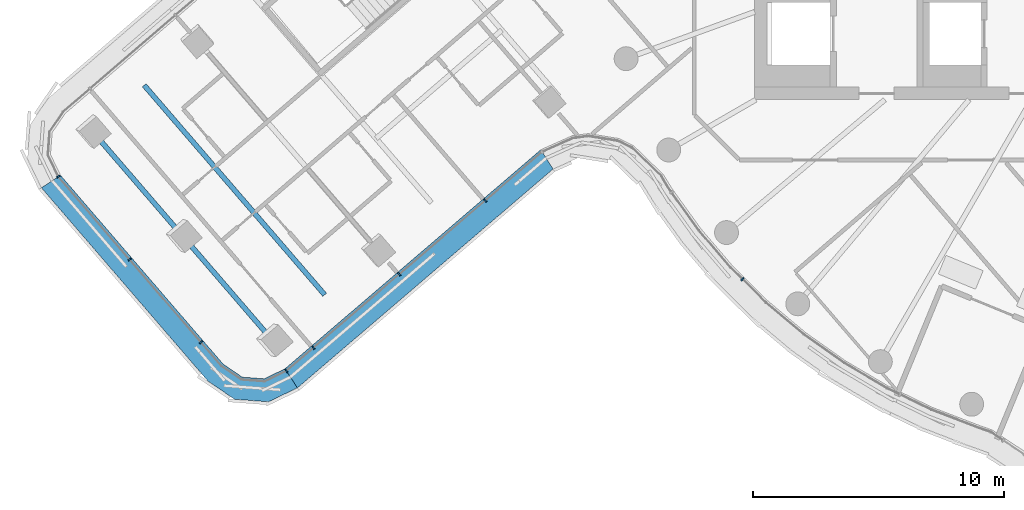
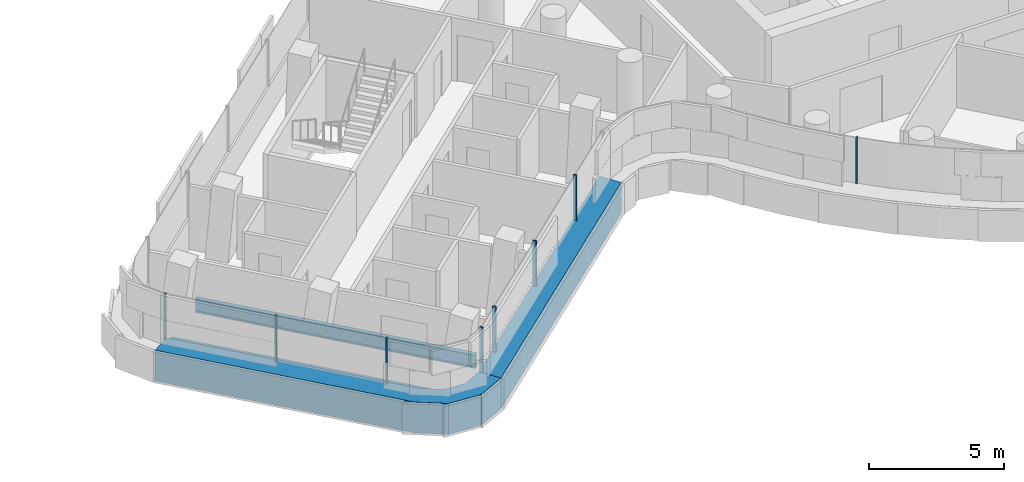
# One storey, part 2 of 34: 10 members, 3 beams, 3 elements without a shape of their own.
"""IFC4 building model written with IfcOpenShell, lengths in metres."""

from ifc_helpers import new_model, si_unit, direction, frame, origin, origin_2d, place, context, subcontext, project, spatial, polyline, rectangle, i_section, outline, extrude, material, layer, layer_set, material_profile, profile_set, type_object, element, aggregate, save


model = new_model("IFC4")

# Units and contexts
model_context = context("Model", 3, precision=1e-05, world=origin(), true_north=direction((0.0, 1.0)))
body_context = subcontext(model_context, "Body", "Model", "MODEL_VIEW")
ifc_project = project(units=[si_unit("LENGTHUNIT", "METRE"), si_unit("AREAUNIT", "SQUARE_METRE"), si_unit("VOLUMEUNIT", "CUBIC_METRE"), si_unit("PLANEANGLEUNIT", "RADIAN"), si_unit("MASSUNIT", "GRAM", prefix="KILO")], contexts=[model_context])

# Site, building, storey
site_placement = place(None, origin())
site = spatial("IfcSite", under=ifc_project, at=site_placement, CompositionType="ELEMENT")
building_placement = place(site_placement, origin())
building = spatial("IfcBuilding", under=site, at=building_placement, Name="Tamarind Cross Interchange Tower", CompositionType="ELEMENT")
storey_placement = place(building_placement, frame((0.0, 0.0, 182.5)))
storey = spatial("IfcBuildingStorey", under=building, at=storey_placement, Name="L45", CompositionType="ELEMENT", Elevation=182.5)

# Beams
ifc_material_1 = material(Name="Steel Q355B", Category="steel")
ifc_material_profile_1 = material_profile(ifc_material_1, i_section(OverallWidth=0.198974609375, OverallDepth=0.595947265625, WebThickness=0.010009765625, FlangeThickness=0.014892578125, FilletRadius=0.012939453125, at=origin_2d()), Name="HN 596x199x10x15")
ifc_profile_set_1 = profile_set([ifc_material_profile_1], Name="Steel Q355B")
beam_type = type_object("IfcBeamType", Name="Composite beam HN 596x199x10x15 Q355B", PredefinedType="BEAM", material=ifc_profile_set_1)
for number, where, z_axis, x_axis, name in (
    (1, (-42.873046875, -10.723876953125, -0.43798828125), (0.652737638798, -0.757584038175, 0.0), (0.757584038175, 0.652737638798, 0.0), "Beam W-tip0"),
    (2, (-39.282958984375, -14.890625, -0.43798828125), (0.652712161455, -0.757605988816, 0.0), (0.757605988816, 0.652712161455, 0.0), "Beam W-tip1"),
):
    element("IfcBeam", number, at=place(storey_placement, frame(where, z_axis=z_axis, x_axis=x_axis)), inside=storey, type_object=beam_type, Name=name, PredefinedType="BEAM", context=body_context, shape_type="SweptSolid", body=[
        extrude(i_section(OverallWidth=0.198974609375, OverallDepth=0.595947265625, WebThickness=0.010009765625, FlangeThickness=0.014892578125, FilletRadius=0.012939453125, at=origin_2d()), origin(), (0.0, 0.0, 1.0), 5.5),
    ])
beam_placement = place(storey_placement, frame((-40.78466796875, -8.924560546875, -0.43798828125), z_axis=(0.652724900403, -0.757595013443, 0.0), x_axis=(0.757595013443, 0.652724900403, 0.0)))
element("IfcBeam", 3, at=beam_placement, inside=storey, type_object=beam_type, Name="Beam W-x421", PredefinedType="BEAM", context=body_context, shape_type="SweptSolid", body=[
    extrude(i_section(OverallWidth=0.198974609375, OverallDepth=0.595947265625, WebThickness=0.010009765625, FlangeThickness=0.014892578125, FilletRadius=0.012939453125, at=origin_2d()), origin(), (0.0, 0.0, 1.0), 11.0),
])

# Curtain wall, member
ifc_material_2 = material(Name="Aluminium 6063-T6", Category="aluminium")
ifc_layer_1 = layer(ifc_material_2, 0.139892578125)
ifc_layer_set_1 = layer_set([ifc_layer_1], Name="Aluminium 6063-T6")
curtain_wall_type_1 = type_object("IfcCurtainWallType", Name="Hotel curtain wall, 4.5 m bays", PredefinedType="NOTDEFINED", material=ifc_layer_set_1)
curtain_wall_1_placement = place(storey_placement, origin())
curtain_wall_1 = element("IfcCurtainWall", 4, at=curtain_wall_1_placement, inside=storey, type_object=curtain_wall_type_1, Name="CWS-L45-04", PredefinedType="NOTDEFINED")
ifc_material_3 = material(Name="Aluminium and insulated spandrel panel", Category="aluminium")
member_type_1 = type_object("IfcMemberType", Name="Floor-edge blade transom", PredefinedType="USERDEFINED", material=ifc_material_3)
member_1_placement = place(storey_placement, origin())
member_1 = element("IfcMember", 5, at=member_1_placement, type_object=member_type_1, Name="CWT-L45-04", ObjectType="TRANSOM", PredefinedType="USERDEFINED", context=body_context, shape_type="SweptSolid", body=[
    extrude(outline(polyline([(-44.11376953125, -12.5048828125), (-37.63818359375, -20.02099609375), (-36.88134765625, -20.5361328125), (-36.00927734375, -20.60107421875), (-35.184326171875, -20.203125), (-34.68798828125, -20.962890625), (-35.835693359375, -21.516357421875), (-37.188720703125, -21.415771484375), (-38.24267578125, -20.6982421875), (-44.873046875, -13.00244140625), (-44.11376953125, -12.5048828125)])), origin(), (0.0, 0.0, 1.0), 1.39990234375),
])

curtain_wall_2_placement = place(storey_placement, origin())
curtain_wall_2 = element("IfcCurtainWall", 6, at=curtain_wall_2_placement, inside=storey, type_object=curtain_wall_type_1, Name="CWS-L45-05", PredefinedType="NOTDEFINED")
member_2_placement = place(storey_placement, origin())
member_2 = element("IfcMember", 7, at=member_2_placement, type_object=member_type_1, Name="CWT-L45-05", ObjectType="TRANSOM", PredefinedType="USERDEFINED", context=body_context, shape_type="SweptSolid", body=[
    extrude(outline(polyline([(-35.184326171875, -20.203125), (-25.00537109375, -11.488525390625), (-24.51904296875, -12.2568359375), (-34.68798828125, -20.962890625), (-35.184326171875, -20.203125)])), origin(), (0.0, 0.0, 1.0), 1.39990234375),
])

# Member
ifc_material_profile_2 = material_profile(ifc_material_2, rectangle(XDim=0.06005859375, YDim=0.139892578125, at=origin_2d()), Name="Mullion CW2")
ifc_profile_set_2 = profile_set([ifc_material_profile_2], Name="Aluminium 6063-T6")
member_type_2 = type_object("IfcMemberType", Name="Mullion CW2", PredefinedType="MULLION", material=ifc_profile_set_2)
member_3_placement = place(storey_placement, frame((-44.197998046875, -12.56005859375, 1.39990234375), z_axis=(0.0, 0.0, 1.0), x_axis=(0.548252360214, -0.836312949511, 0.0)))
member_3 = element("IfcMember", 8, at=member_3_placement, type_object=member_type_2, Name="CWM-L45-04-00", PredefinedType="MULLION", context=body_context, shape_type="SweptSolid", body=[
    extrude(rectangle(XDim=0.06005859375, YDim=0.139892578125, at=origin_2d()), origin(), (0.0, 0.0, 1.0), 2.06005859375),
])

member_4_placement = place(storey_placement, frame((-41.361572265625, -15.852294921875, 1.39990234375), z_axis=(0.0, 0.0, 1.0), x_axis=(0.652722730074, -0.757596883339, 0.0)))
member_4 = element("IfcMember", 9, at=member_4_placement, type_object=member_type_2, Name="CWM-L45-04-01", PredefinedType="MULLION", context=body_context, shape_type="SweptSolid", body=[
    extrude(rectangle(XDim=0.06005859375, YDim=0.139892578125, at=origin_2d()), origin(), (0.0, 0.0, 1.0), 2.06005859375),
])

member_5_placement = place(storey_placement, frame((-38.525146484375, -19.14453125, 1.39990234375), z_axis=(0.0, 0.0, 1.0), x_axis=(0.652722730074, -0.757596883339, 0.0)))
member_5 = element("IfcMember", 10, at=member_5_placement, type_object=member_type_2, Name="CWM-L45-04-02", PredefinedType="MULLION", context=body_context, shape_type="SweptSolid", body=[
    extrude(rectangle(XDim=0.06005859375, YDim=0.139892578125, at=origin_2d()), origin(), (0.0, 0.0, 1.0), 2.06005859375),
])

aggregate(curtain_wall_1, [member_3, member_4, member_5, member_1])

member_6_placement = place(storey_placement, frame((-35.129150390625, -20.28759765625, 1.39990234375), z_axis=(0.0, 0.0, 1.0), x_axis=(0.837166359394, 0.546948340065, 0.0)))
member_6 = element("IfcMember", 11, at=member_6_placement, type_object=member_type_2, Name="CWM-L45-05-00", PredefinedType="MULLION", context=body_context, shape_type="SweptSolid", body=[
    extrude(rectangle(XDim=0.06005859375, YDim=0.139892578125, at=origin_2d()), origin(), (0.0, 0.0, 1.0), 2.06005859375),
])

member_7_placement = place(storey_placement, frame((-34.0537109375, -19.366943359375, 1.39990234375), z_axis=(0.0, 0.0, 1.0), x_axis=(0.759627676091, 0.650358204159, 0.0)))
member_7 = element("IfcMember", 12, at=member_7_placement, type_object=member_type_2, Name="CWM-L45-05-01", PredefinedType="MULLION", context=body_context, shape_type="SweptSolid", body=[
    extrude(rectangle(XDim=0.06005859375, YDim=0.139892578125, at=origin_2d()), origin(), (0.0, 0.0, 1.0), 2.06005859375),
])

member_8_placement = place(storey_placement, frame((-30.634765625, -16.439697265625, 1.39990234375), z_axis=(0.0, 0.0, 1.0), x_axis=(0.759627676091, 0.650358204159, 0.0)))
member_8 = element("IfcMember", 13, at=member_8_placement, type_object=member_type_2, Name="CWM-L45-05-02", PredefinedType="MULLION", context=body_context, shape_type="SweptSolid", body=[
    extrude(rectangle(XDim=0.06005859375, YDim=0.139892578125, at=origin_2d()), origin(), (0.0, 0.0, 1.0), 2.06005859375),
])

member_9_placement = place(storey_placement, frame((-27.215576171875, -13.512451171875, 1.39990234375), z_axis=(0.0, 0.0, 1.0), x_axis=(0.759627676091, 0.650358204159, 0.0)))
member_9 = element("IfcMember", 14, at=member_9_placement, type_object=member_type_2, Name="CWM-L45-05-03", PredefinedType="MULLION", context=body_context, shape_type="SweptSolid", body=[
    extrude(rectangle(XDim=0.06005859375, YDim=0.139892578125, at=origin_2d()), origin(), (0.0, 0.0, 1.0), 2.06005859375),
])

aggregate(curtain_wall_2, [member_6, member_7, member_8, member_9, member_2])

# Curtain wall, member
ifc_layer_2 = layer(ifc_material_2, 0.14990234375)
ifc_layer_set_2 = layer_set([ifc_layer_2], Name="Aluminium 6063-T6")
curtain_wall_type_2 = type_object("IfcCurtainWallType", Name="Winter garden and crown curtain wall", PredefinedType="NOTDEFINED", material=ifc_layer_set_2)
curtain_wall_3_placement = place(storey_placement, origin())
curtain_wall_3 = element("IfcCurtainWall", 15, at=curtain_wall_3_placement, inside=storey, type_object=curtain_wall_type_2, Name="CWS-L45-06", PredefinedType="NOTDEFINED")
ifc_material_profile_3 = material_profile(ifc_material_2, rectangle(XDim=0.06005859375, YDim=0.14990234375, at=origin_2d()), Name="Mullion CW6")
ifc_profile_set_3 = profile_set([ifc_material_profile_3], Name="Aluminium 6063-T6")
member_type_3 = type_object("IfcMemberType", Name="Mullion CW6", PredefinedType="MULLION", material=ifc_profile_set_3)
member_10_placement = place(storey_placement, frame((-16.987060546875, -16.638427734375, 1.39990234375), z_axis=(0.0, 0.0, 1.0), x_axis=(0.710143317658, -0.704057148523, 0.0)))
member_10 = element("IfcMember", 16, at=member_10_placement, type_object=member_type_3, Name="CWM-L45-06-02", PredefinedType="MULLION", context=body_context, shape_type="SweptSolid", body=[
    extrude(rectangle(XDim=0.06005859375, YDim=0.14990234375, at=origin_2d()), origin(), (0.0, 0.0, 1.0), 2.06005859375),
])
aggregate(curtain_wall_3, [member_10])

save(model, "model.ifc")
